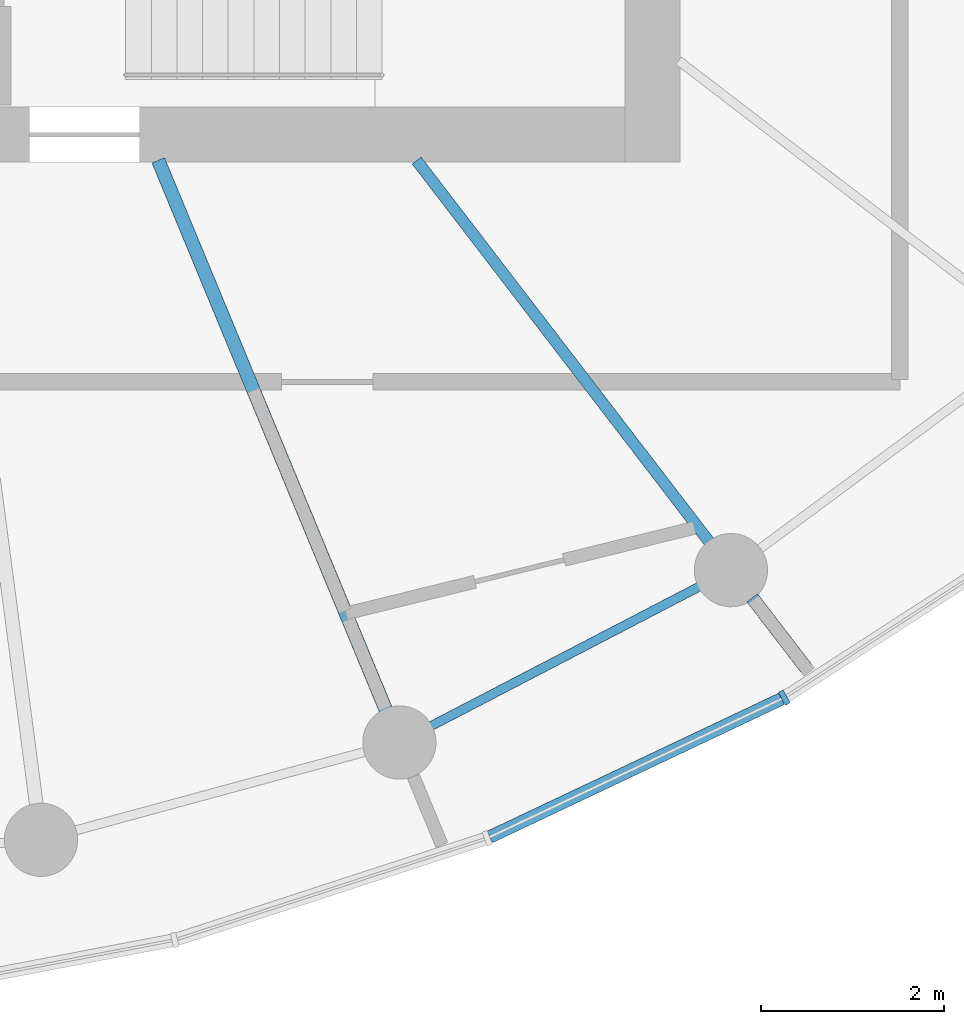
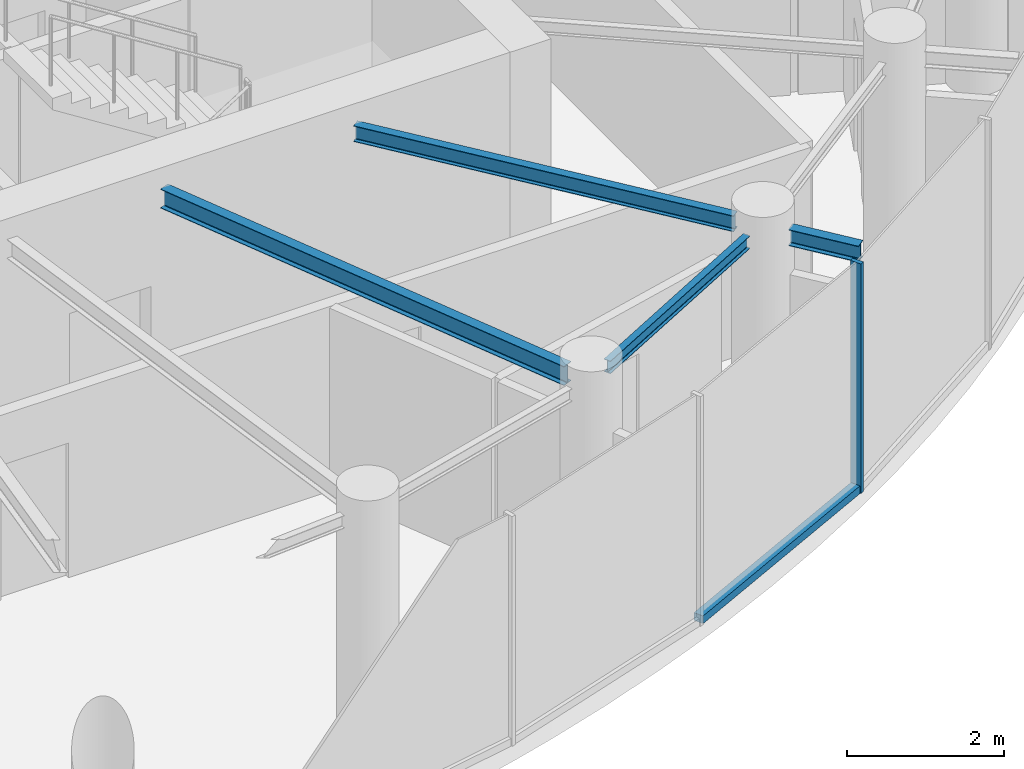
# One storey, part 3 of 13: 4 beams, 2 members, 1 element without a shape of its own.
"""IFC4 building model written with IfcOpenShell, lengths in metres."""

from ifc_helpers import new_model, si_unit, direction, frame, origin, origin_2d, place, context, subcontext, project, spatial, rectangle, i_section, extrude, source, transform, mapped, material, layer, layer_set, material_profile, profile_set, type_object, element, aggregate, save


model = new_model("IFC4")

# Units and contexts
model_context = context("Model", 3, precision=1e-05, world=origin(), true_north=direction((0.0, 1.0)))
body_context = subcontext(model_context, "Body", "Model", "MODEL_VIEW")
ifc_project = project(units=[si_unit("LENGTHUNIT", "METRE"), si_unit("AREAUNIT", "SQUARE_METRE"), si_unit("VOLUMEUNIT", "CUBIC_METRE"), si_unit("PLANEANGLEUNIT", "RADIAN"), si_unit("MASSUNIT", "GRAM", prefix="KILO")], contexts=[model_context])

# Site, building, storey
site_placement = place(None, origin())
site = spatial("IfcSite", under=ifc_project, at=site_placement, CompositionType="ELEMENT")
building_placement = place(site_placement, origin())
building = spatial("IfcBuilding", under=site, at=building_placement, Name="Spindrift Exchange Tower", CompositionType="ELEMENT")
storey_placement = place(building_placement, frame((0.0, 0.0, 250.10009765625)))
storey = spatial("IfcBuildingStorey", under=building, at=storey_placement, Name="L61", CompositionType="ELEMENT", Elevation=250.10009765625)

# Beams
ifc_material_1 = material(Name="Steel Grade 300", Category="steel")
ifc_material_profile_1 = material_profile(ifc_material_1, i_section(OverallWidth=0.14892578125, OverallDepth=0.298095703125, WebThickness=0.005615234375, FlangeThickness=0.008056640625, FilletRadius=0.012939453125, at=origin_2d()), Name="310UB32.0")
ifc_profile_set_1 = profile_set([ifc_material_profile_1], Name="Steel Grade 300")
beam_type_1 = type_object("IfcBeamType", Name="Floor Beam 310UB32.0 Steel Grade 300", PredefinedType="BEAM", material=ifc_profile_set_1)
shared_shape_1 = source(origin(), body_context, "Body", "SweptSolid", [
    extrude(i_section(OverallWidth=0.14892578125, OverallDepth=0.298095703125, WebThickness=0.005615234375, FlangeThickness=0.008056640625, FilletRadius=0.012939453125, at=origin_2d()), origin(), (0.0, 0.0, 1.0), 6.495849609375),
])
beam_1_placement = place(storey_placement, frame((55.30615234375, 40.0185546875, 3.430908203125), z_axis=(0.382677087308, -0.923882160695, 0.0), x_axis=(0.923882160695, 0.382677087308, 0.0)))
element("IfcBeam", 1, at=beam_1_placement, inside=storey, type_object=beam_type_1, Name="L61 radial beam R20A", PredefinedType="BEAM", context=body_context, shape_type="MappedRepresentation", body=[
    mapped(shared_shape_1, transform((0.0, 0.0, 0.0), scale=1.0)),
])
ifc_material_profile_2 = material_profile(ifc_material_1, i_section(OverallWidth=0.1240234375, OverallDepth=0.248046875, WebThickness=0.0048828125, FlangeThickness=0.008056640625, FilletRadius=0.011962890625, at=origin_2d()), Name="250UB25.7")
ifc_profile_set_2 = profile_set([ifc_material_profile_2], Name="Steel Grade 300")
beam_type_2 = type_object("IfcBeamType", Name="Floor Beam 250UB25.7 Steel Grade 300", PredefinedType="BEAM", material=ifc_profile_set_2)
shared_shape_2 = source(origin(), body_context, "Body", "SweptSolid", [
    extrude(i_section(OverallWidth=0.1240234375, OverallDepth=0.248046875, WebThickness=0.0048828125, FlangeThickness=0.008056640625, FilletRadius=0.011962890625, at=origin_2d()), origin(), (0.0, 0.0, 1.0), 5.25341796875),
])
beam_2_placement = place(storey_placement, frame((58.12646484375, 40.015869140625, 3.455810546875), z_axis=(0.608760287872, -0.793354215915, 0.0), x_axis=(0.793354215915, 0.608760287872, 0.0)))
element("IfcBeam", 2, at=beam_2_placement, inside=storey, type_object=beam_type_2, Name="L61 radial beam R21A", PredefinedType="BEAM", context=body_context, shape_type="MappedRepresentation", body=[
    mapped(shared_shape_2, transform((0.0, 0.0, 0.0), scale=1.0)),
])
ifc_material_profile_3 = material_profile(ifc_material_1, i_section(OverallWidth=0.09912109375, OverallDepth=0.197998046875, WebThickness=0.00439453125, FlangeThickness=0.007080078125, FilletRadius=0.010986328125, at=origin_2d()), Name="200UB18.2")
ifc_profile_set_3 = profile_set([ifc_material_profile_3], Name="Steel Grade 300")
beam_type_3 = type_object("IfcBeamType", Name="Edge Beam 200UB18.2 Steel Grade 300", PredefinedType="SPANDREL", material=ifc_profile_set_3)
shared_shape_3 = source(origin(), body_context, "Body", "SweptSolid", [
    extrude(i_section(OverallWidth=0.09912109375, OverallDepth=0.197998046875, WebThickness=0.00439453125, FlangeThickness=0.007080078125, FilletRadius=0.010986328125, at=origin_2d()), origin(), (0.0, 0.0, 1.0), 3.31787109375),
])
beam_3_placement = place(storey_placement, frame((58.2744140625, 33.84130859375, 3.48095703125), z_axis=(0.887327612278, 0.46113957593, 0.0), x_axis=(-0.46113957593, 0.887327612278, 0.0)))
element("IfcBeam", 3, at=beam_3_placement, inside=storey, type_object=beam_type_3, Name="L61 edge beam E20", PredefinedType="SPANDREL", context=body_context, shape_type="MappedRepresentation", body=[
    mapped(shared_shape_3, transform((0.0, 0.0, 0.0), scale=1.0)),
])
ifc_material_profile_4 = material_profile(ifc_material_1, i_section(OverallWidth=0.14599609375, OverallDepth=0.251953125, WebThickness=0.006103515625, FlangeThickness=0.008544921875, FilletRadius=0.011962890625, at=origin_2d()), Name="250UB31.4")
ifc_profile_set_4 = profile_set([ifc_material_profile_4], Name="Steel Grade 300")
beam_type_4 = type_object("IfcBeamType", Name="Cantilever Beam 250UB31.4 Steel Grade 300", PredefinedType="BEAM", material=ifc_profile_set_4)
shared_shape_4 = source(origin(), body_context, "Body", "SweptSolid", [
    extrude(i_section(OverallWidth=0.14599609375, OverallDepth=0.251953125, WebThickness=0.006103515625, FlangeThickness=0.008544921875, FilletRadius=0.011962890625, at=origin_2d()), origin(), (0.0, 0.0, 1.0), 0.971435546875),
])
beam_4_placement = place(storey_placement, frame((61.787109375, 35.245361328125, 3.453857421875), z_axis=(0.608690039121, -0.793408114576, 0.0), x_axis=(0.793408114576, 0.608690039121, 0.0)))
element("IfcBeam", 4, at=beam_4_placement, inside=storey, type_object=beam_type_4, Name="L61 cantilever beam R21T", PredefinedType="BEAM", context=body_context, shape_type="MappedRepresentation", body=[
    mapped(shared_shape_4, transform((0.0, 0.0, 0.0), scale=1.0)),
])

# Curtain wall, members
ifc_material_2 = material(Name="Fritted laminated glass with bronze frame", Category="glass")
ifc_layer = layer(ifc_material_2, 0.159912109375)
ifc_layer_set = layer_set([ifc_layer], Name="ZONE 5 BRONZE FRITTED WALL")
curtain_wall_type = type_object("IfcCurtainWallType", Name="ZONE 5 BRONZE FRITTED WALL", PredefinedType="NOTDEFINED", material=ifc_layer_set)
curtain_wall_placement = place(storey_placement, origin())
curtain_wall = element("IfcCurtainWall", 5, at=curtain_wall_placement, inside=storey, type_object=curtain_wall_type, Name="L61 Zone 5 Bronze Fritted Wall run 5", PredefinedType="NOTDEFINED")
ifc_material_3 = material(Name="Bronze anodised aluminium", Category="aluminium")
ifc_material_profile_5 = material_profile(ifc_material_3, rectangle(XDim=0.139892578125, YDim=0.1201171875, at=origin_2d()), Name="ZONE 5 BRONZE FRITTED WALL TRANSOM 140X120")
ifc_profile_set_5 = profile_set([ifc_material_profile_5], Name="Bronze anodised aluminium")
member_type_1 = type_object("IfcMemberType", Name="ZONE 5 BRONZE FRITTED WALL TRANSOM 140X120", PredefinedType="USERDEFINED", material=ifc_profile_set_5)
shared_shape_5 = source(origin(), body_context, "Body", "SweptSolid", [
    extrude(rectangle(XDim=0.139892578125, YDim=0.1201171875, at=origin_2d()), origin(), (0.0, 0.0, 1.0), 3.5263671875),
])
member_1_placement = place(storey_placement, frame((58.923095703125, 32.634033203125, 0.059814453125), z_axis=(0.903843541245, 0.427863124082, 0.0), x_axis=(-0.427863124082, 0.903843541245, 0.0)))
member_1 = element("IfcMember", 6, at=member_1_placement, type_object=member_type_1, Name="L61 transom CW-5.27", ObjectType="TRANSOM", PredefinedType="USERDEFINED", context=body_context, shape_type="MappedRepresentation", body=[
    mapped(shared_shape_5, transform((0.0, 0.0, 0.0), scale=1.0)),
])
ifc_material_profile_6 = material_profile(ifc_material_3, rectangle(XDim=0.06005859375, YDim=0.159912109375, at=origin_2d()), Name="ZONE 5 BRONZE FRITTED WALL MULLION 60X160")
ifc_profile_set_6 = profile_set([ifc_material_profile_6], Name="Bronze anodised aluminium")
member_type_2 = type_object("IfcMemberType", Name="ZONE 5 BRONZE FRITTED WALL MULLION 60X160", PredefinedType="MULLION", material=ifc_profile_set_6)
shared_shape_6 = source(origin(), body_context, "Body", "SweptSolid", [
    extrude(rectangle(XDim=0.06005859375, YDim=0.159912109375, at=origin_2d()), origin(), (0.0, 0.0, 1.0), 3.579833984375),
])
member_2_placement = place(storey_placement, frame((62.137451171875, 34.15576171875, 0.0), z_axis=(0.0, 0.0, 1.0), x_axis=(0.873804374176, 0.486277611732, 0.0)))
member_2 = element("IfcMember", 7, at=member_2_placement, type_object=member_type_2, Name="L61 mullion CW-5.28", PredefinedType="MULLION", context=body_context, shape_type="MappedRepresentation", body=[
    mapped(shared_shape_6, transform((0.0, 0.0, 0.0), scale=1.0)),
])
aggregate(curtain_wall, [member_1, member_2])

save(model, "model.ifc")
